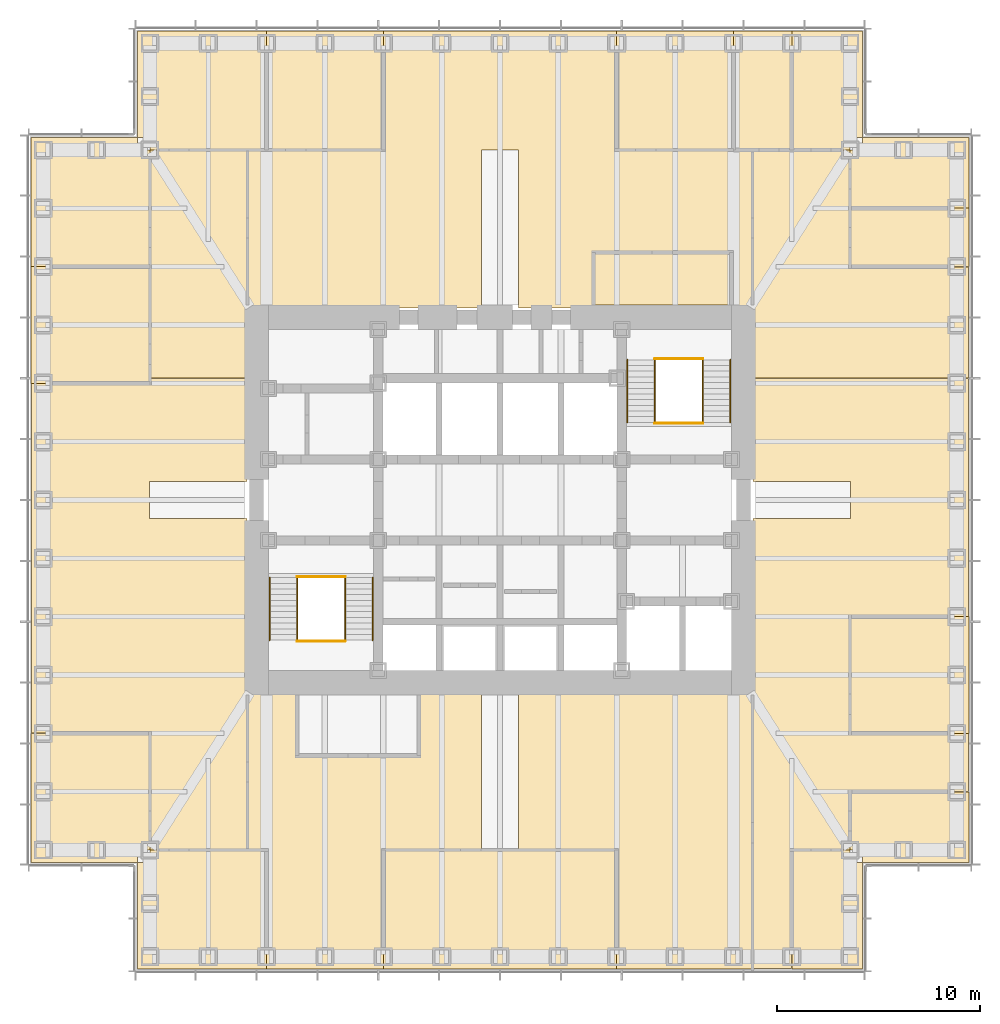
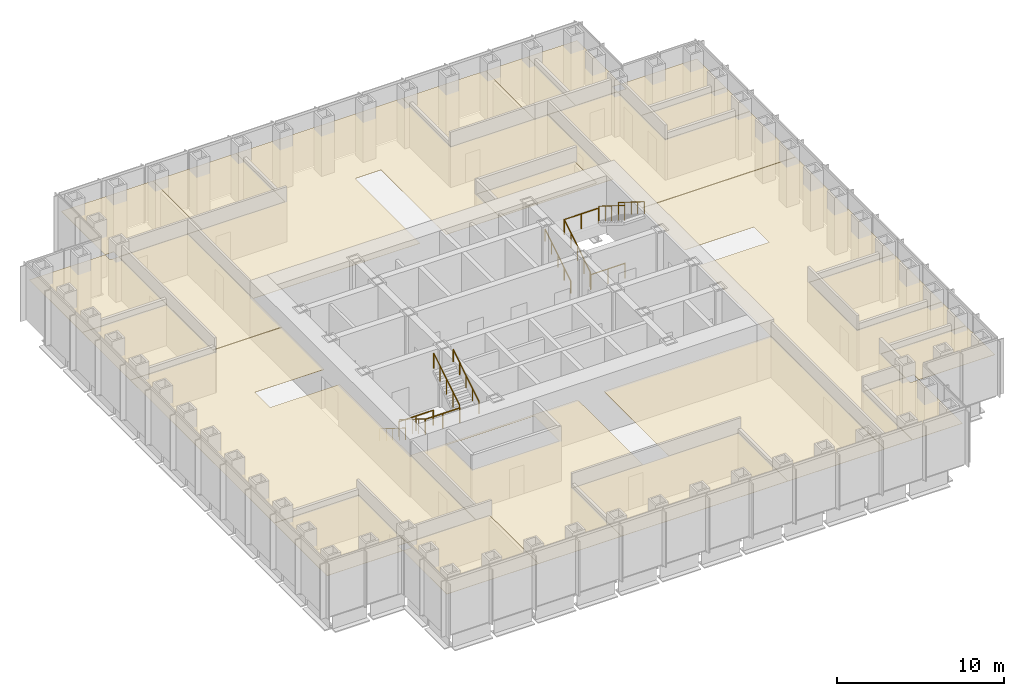
# One storey, part 17 of 17: 23 coverings, 12 railings.
"""IFC4 building model written with IfcOpenShell, lengths in metres."""

from ifc_helpers import new_model, si_unit, direction, frame, origin, origin_2d, place, context, subcontext, project, spatial, polyline, circle, outline, extrude, material, layer, layer_set, type_object, element, save


model = new_model("IFC4")

# Units and contexts
model_context = context("Model", 3, precision=1e-05, world=origin(), true_north=direction((0.0, 1.0)))
body_context = subcontext(model_context, "Body", "Model", "MODEL_VIEW")
ifc_project = project(units=[si_unit("LENGTHUNIT", "METRE"), si_unit("AREAUNIT", "SQUARE_METRE"), si_unit("VOLUMEUNIT", "CUBIC_METRE"), si_unit("PLANEANGLEUNIT", "RADIAN"), si_unit("MASSUNIT", "GRAM", prefix="KILO")], contexts=[model_context])

# Site, building, storey
site_placement = place(None, origin())
site = spatial("IfcSite", under=ifc_project, at=site_placement, CompositionType="ELEMENT")
building_placement = place(site_placement, origin())
building = spatial("IfcBuilding", under=site, at=building_placement, Name="Daluyong Arena Tower", CompositionType="ELEMENT")
storey_placement = place(building_placement, frame((0.0, 0.0, 150.10009765625)))
storey = spatial("IfcBuildingStorey", under=building, at=storey_placement, Name="L33", CompositionType="ELEMENT", Elevation=150.10009765625)

# Coverings
ifc_material_1 = material(Name="Mineral fibre ceiling tile", Category="gypsum board")
ifc_layer = layer(ifc_material_1, 0.02001953125)
ifc_layer_set = layer_set([ifc_layer], Name="Mineral fibre ceiling tile")
covering_type = type_object("IfcCoveringType", Name="Office ceiling", PredefinedType="CEILING", material=ifc_layer_set)
covering_1_placement = place(storey_placement, frame((0.0, 0.0, 2.89990234375)))
element("IfcCovering", 1, at=covering_1_placement, inside=storey, type_object=covering_type, Name="ceiling L33-01", PredefinedType="CEILING", context=body_context, shape_type="SweptSolid", body=[
    extrude(outline(polyline([(38.14990234375, 62.14990234375), (38.14990234375, 56.89990234375), (44.5, 56.89990234375), (44.5, 62.75), (38.75, 62.75), (38.75, 62.14990234375), (38.14990234375, 62.14990234375)])), origin(), (0.0, 0.0, 1.0), 0.02001953125),
])
covering_2_placement = place(storey_placement, frame((0.0, 0.0, 2.89990234375)))
element("IfcCovering", 2, at=covering_2_placement, inside=storey, type_object=covering_type, Name="ceiling L33-02", PredefinedType="CEILING", context=body_context, shape_type="SweptSolid", body=[
    extrude(outline(polyline([(50.25, 62.75), (50.25, 56.89990234375), (61.75, 56.89990234375), (61.75, 62.75), (50.25, 62.75)])), origin(), (0.0, 0.0, 1.0), 0.02001953125),
])
covering_3_placement = place(storey_placement, frame((0.0, 0.0, 2.89990234375)))
element("IfcCovering", 3, at=covering_3_placement, inside=storey, type_object=covering_type, Name="ceiling L33-03", PredefinedType="CEILING", context=body_context, shape_type="SweptSolid", body=[
    extrude(outline(polyline([(73.85009765625, 56.89990234375), (73.85009765625, 62.14990234375), (73.25, 62.14990234375), (73.25, 62.75), (70.375, 62.75), (70.375, 56.89990234375), (73.85009765625, 56.89990234375)])), origin(), (0.0, 0.0, 1.0), 0.02001953125),
])
covering_4_placement = place(storey_placement, frame((0.0, 0.0, 2.89990234375)))
element("IfcCovering", 4, at=covering_4_placement, inside=storey, type_object=covering_type, Name="ceiling L33-04", PredefinedType="CEILING", context=body_context, shape_type="SweptSolid", body=[
    extrude(outline(polyline([(73.85009765625, 62.14990234375), (79.10009765625, 62.14990234375), (79.10009765625, 65.625), (73.25, 65.625), (73.25, 62.75), (73.85009765625, 62.75), (73.85009765625, 62.14990234375)])), origin(), (0.0, 0.0, 1.0), 0.02001953125),
])
covering_5_placement = place(storey_placement, frame((0.0, 0.0, 2.89990234375)))
element("IfcCovering", 5, at=covering_5_placement, inside=storey, type_object=covering_type, Name="ceiling L33-05", PredefinedType="CEILING", context=body_context, shape_type="SweptSolid", body=[
    extrude(outline(polyline([(73.25, 68.5), (79.10009765625, 68.5), (79.10009765625, 74.25), (73.25, 74.25), (73.25, 68.5)])), origin(), (0.0, 0.0, 1.0), 0.02001953125),
])
covering_6_placement = place(storey_placement, frame((0.0, 0.0, 2.89990234375)))
element("IfcCovering", 6, at=covering_6_placement, inside=storey, type_object=covering_type, Name="ceiling L33-06", PredefinedType="CEILING", context=body_context, shape_type="SweptSolid", body=[
    extrude(outline(polyline([(73.25, 91.5), (79.10009765625, 91.5), (79.10009765625, 94.375), (73.25, 94.375), (73.25, 91.5)])), origin(), (0.0, 0.0, 1.0), 0.02001953125),
])
covering_7_placement = place(storey_placement, frame((0.0, 0.0, 2.89990234375)))
element("IfcCovering", 7, at=covering_7_placement, inside=storey, type_object=covering_type, Name="ceiling L33-07", PredefinedType="CEILING", context=body_context, shape_type="SweptSolid", body=[
    extrude(outline(polyline([(73.25, 94.375), (79.10009765625, 94.375), (79.10009765625, 97.85009765625), (73.85009765625, 97.85009765625), (73.85009765625, 97.25), (73.25, 97.25), (73.25, 94.375)])), origin(), (0.0, 0.0, 1.0), 0.02001953125),
])
covering_8_placement = place(storey_placement, frame((0.0, 0.0, 2.89990234375)))
element("IfcCovering", 8, at=covering_8_placement, inside=storey, type_object=covering_type, Name="ceiling L33-08", PredefinedType="CEILING", context=body_context, shape_type="SweptSolid", body=[
    extrude(outline(polyline([(44.5, 97.25), (44.5, 103.10009765625), (38.14990234375, 103.10009765625), (38.14990234375, 97.85009765625), (38.75, 97.85009765625), (38.75, 97.25), (44.5, 97.25)])), origin(), (0.0, 0.0, 1.0), 0.02001953125),
])
covering_9_placement = place(storey_placement, frame((0.0, 0.0, 2.89990234375)))
element("IfcCovering", 9, at=covering_9_placement, inside=storey, type_object=covering_type, Name="ceiling L33-09", PredefinedType="CEILING", context=body_context, shape_type="SweptSolid", body=[
    extrude(outline(polyline([(50.25, 97.25), (50.25, 103.10009765625), (44.5, 103.10009765625), (44.5, 97.25), (50.25, 97.25)])), origin(), (0.0, 0.0, 1.0), 0.02001953125),
])
covering_10_placement = place(storey_placement, frame((0.0, 0.0, 2.89990234375)))
element("IfcCovering", 10, at=covering_10_placement, inside=storey, type_object=covering_type, Name="ceiling L33-10", PredefinedType="CEILING", context=body_context, shape_type="SweptSolid", body=[
    extrude(outline(polyline([(67.5, 97.25), (67.5, 103.10009765625), (61.75, 103.10009765625), (61.75, 97.25), (67.5, 97.25)])), origin(), (0.0, 0.0, 1.0), 0.02001953125),
])
covering_11_placement = place(storey_placement, frame((0.0, 0.0, 2.89990234375)))
element("IfcCovering", 11, at=covering_11_placement, inside=storey, type_object=covering_type, Name="ceiling L33-11", PredefinedType="CEILING", context=body_context, shape_type="SweptSolid", body=[
    extrude(outline(polyline([(70.375, 97.25), (70.375, 103.10009765625), (67.5, 103.10009765625), (67.5, 97.25), (70.375, 97.25)])), origin(), (0.0, 0.0, 1.0), 0.02001953125),
])
covering_12_placement = place(storey_placement, frame((0.0, 0.0, 2.89990234375)))
element("IfcCovering", 12, at=covering_12_placement, inside=storey, type_object=covering_type, Name="ceiling L33-12", PredefinedType="CEILING", context=body_context, shape_type="SweptSolid", body=[
    extrude(outline(polyline([(70.375, 97.25), (73.25, 97.25), (73.25, 97.85009765625), (73.85009765625, 97.85009765625), (73.85009765625, 103.10009765625), (70.375, 103.10009765625), (70.375, 97.25)])), origin(), (0.0, 0.0, 1.0), 0.02001953125),
])
covering_13_placement = place(storey_placement, frame((0.0, 0.0, 2.89990234375)))
element("IfcCovering", 13, at=covering_13_placement, inside=storey, type_object=covering_type, Name="ceiling L33-13", PredefinedType="CEILING", context=body_context, shape_type="SweptSolid", body=[
    extrude(outline(polyline([(32.89990234375, 62.14990234375), (38.14990234375, 62.14990234375), (38.14990234375, 62.75), (38.75, 62.75), (38.75, 68.5), (32.89990234375, 68.5), (32.89990234375, 62.14990234375)])), origin(), (0.0, 0.0, 1.0), 0.02001953125),
])
covering_14_placement = place(storey_placement, frame((0.0, 0.0, 2.89990234375)))
element("IfcCovering", 14, at=covering_14_placement, inside=storey, type_object=covering_type, Name="ceiling L33-14", PredefinedType="CEILING", context=body_context, shape_type="SweptSolid", body=[
    extrude(outline(polyline([(38.75, 91.5), (32.89990234375, 91.5), (32.89990234375, 85.75), (38.75, 85.75), (38.75, 91.5)])), origin(), (0.0, 0.0, 1.0), 0.02001953125),
])
covering_15_placement = place(storey_placement, frame((0.0, 0.0, 2.89990234375)))
element("IfcCovering", 15, at=covering_15_placement, inside=storey, type_object=covering_type, Name="ceiling L33-15", PredefinedType="CEILING", context=body_context, shape_type="SweptSolid", body=[
    extrude(outline(polyline([(38.75, 91.5), (38.75, 97.25), (38.14990234375, 97.25), (38.14990234375, 97.85009765625), (32.89990234375, 97.85009765625), (32.89990234375, 91.5), (38.75, 91.5)])), origin(), (0.0, 0.0, 1.0), 0.02001953125),
])
covering_16_placement = place(storey_placement, frame((0.0, 0.0, 2.89990234375)))
element("IfcCovering", 16, at=covering_16_placement, inside=storey, type_object=covering_type, Name="ceiling L33-17", PredefinedType="CEILING", context=body_context, shape_type="SweptSolid", body=[
    extrude(outline(polyline([(60.60009765625, 89.60009765625), (67.39990234375, 89.60009765625), (67.39990234375, 92.199951171875), (60.60009765625, 92.199951171875), (60.60009765625, 89.60009765625)])), origin(), (0.0, 0.0, 1.0), 0.02001953125),
])
covering_17_placement = place(storey_placement, frame((0.0, 0.0, 2.89990234375)))
element("IfcCovering", 17, at=covering_17_placement, inside=storey, type_object=covering_type, Name="ceiling L33-22", PredefinedType="CEILING", context=body_context, shape_type="SweptSolid", body=[
    extrude(outline(polyline([(61.75, 56.89990234375), (68.449951171875, 56.89990234375), (68.449951171875, 70.550048828125), (56.89990234375, 70.550048828125), (56.89990234375, 62.75), (61.75, 62.75), (61.75, 56.89990234375)])), origin(), (0.0, 0.0, 1.0), 0.02001953125),
])
covering_18_placement = place(storey_placement, frame((0.0, 0.0, 2.89990234375)))
element("IfcCovering", 18, at=covering_18_placement, inside=storey, type_object=covering_type, Name="ceiling L33-23", PredefinedType="CEILING", context=body_context, shape_type="SweptSolid", body=[
    extrude(outline(polyline([(55.10009765625, 70.550048828125), (43.550048828125, 70.550048828125), (43.550048828125, 62.75), (44.5, 62.75), (44.5, 56.89990234375), (50.25, 56.89990234375), (50.25, 62.75), (55.10009765625, 62.75), (55.10009765625, 70.550048828125)]), holes=[polyline([(52.0, 70.39990234375), (52.0, 67.39990234375), (46.0, 67.39990234375), (46.0, 70.39990234375), (52.0, 70.39990234375)])]), origin(), (0.0, 0.0, 1.0), 0.02001953125),
])
covering_19_placement = place(storey_placement, frame((0.0, 0.0, 2.89990234375)))
element("IfcCovering", 19, at=covering_19_placement, inside=storey, type_object=covering_type, Name="ceiling L33-24", PredefinedType="CEILING", context=body_context, shape_type="SweptSolid", body=[
    extrude(outline(polyline([(50.25, 97.25), (43.550048828125, 97.25), (43.550048828125, 89.449951171875), (55.10009765625, 89.449951171875), (55.10009765625, 97.25), (56.89990234375, 97.25), (56.89990234375, 89.449951171875), (68.449951171875, 89.449951171875), (68.449951171875, 97.25), (61.75, 97.25), (61.75, 103.10009765625), (50.25, 103.10009765625), (50.25, 97.25)]), holes=[polyline([(67.39990234375, 92.199951171875), (67.39990234375, 89.60009765625), (60.60009765625, 89.60009765625), (60.60009765625, 92.199951171875), (67.39990234375, 92.199951171875)])]), origin(), (0.0, 0.0, 1.0), 0.02001953125),
])
covering_20_placement = place(storey_placement, frame((0.0, 0.0, 2.89990234375)))
element("IfcCovering", 20, at=covering_20_placement, inside=storey, type_object=covering_type, Name="ceiling L33-25", PredefinedType="CEILING", context=body_context, shape_type="SweptSolid", body=[
    extrude(outline(polyline([(38.760009765625, 62.760009765625), (43.5400390625, 62.760009765625), (43.5400390625, 79.090087890625), (38.739990234375, 79.090087890625), (38.739990234375, 80.909912109375), (43.5400390625, 80.909912109375), (43.5400390625, 85.989990234375), (38.760009765625, 85.989990234375), (38.760009765625, 85.739990234375), (32.909912109375, 85.739990234375), (32.909912109375, 68.510009765625), (38.760009765625, 68.510009765625), (38.760009765625, 62.760009765625)])), origin(), (0.0, 0.0, 1.0), 0.02001953125),
])
covering_21_placement = place(storey_placement, frame((0.0, 0.0, 2.89990234375)))
element("IfcCovering", 21, at=covering_21_placement, inside=storey, type_object=covering_type, Name="ceiling L33-26", PredefinedType="CEILING", context=body_context, shape_type="SweptSolid", body=[
    extrude(outline(polyline([(38.760009765625, 97.239990234375), (38.760009765625, 86.010009765625), (43.5400390625, 86.010009765625), (43.5400390625, 97.239990234375), (38.760009765625, 97.239990234375)])), origin(), (0.0, 0.0, 1.0), 0.02001953125),
])
covering_22_placement = place(storey_placement, frame((0.0, 0.0, 2.89990234375)))
element("IfcCovering", 22, at=covering_22_placement, inside=storey, type_object=covering_type, Name="ceiling L33-27", PredefinedType="CEILING", context=body_context, shape_type="SweptSolid", body=[
    extrude(outline(polyline([(73.239990234375, 62.760009765625), (73.239990234375, 65.635009765625), (79.090087890625, 65.635009765625), (79.090087890625, 68.489990234375), (73.239990234375, 68.489990234375), (73.239990234375, 74.260009765625), (79.090087890625, 74.260009765625), (79.090087890625, 85.989990234375), (68.4599609375, 85.989990234375), (68.4599609375, 80.909912109375), (73.260009765625, 80.909912109375), (73.260009765625, 79.090087890625), (68.4599609375, 79.090087890625), (68.4599609375, 56.909912109375), (70.364990234375, 56.909912109375), (70.364990234375, 62.760009765625), (73.239990234375, 62.760009765625)])), origin(), (0.0, 0.0, 1.0), 0.02001953125),
])
covering_23_placement = place(storey_placement, frame((0.0, 0.0, 2.89990234375)))
element("IfcCovering", 23, at=covering_23_placement, inside=storey, type_object=covering_type, Name="ceiling L33-28", PredefinedType="CEILING", context=body_context, shape_type="SweptSolid", body=[
    extrude(outline(polyline([(73.239990234375, 97.239990234375), (68.4599609375, 97.239990234375), (68.4599609375, 86.010009765625), (79.090087890625, 86.010009765625), (79.090087890625, 91.489990234375), (73.239990234375, 91.489990234375), (73.239990234375, 97.239990234375)])), origin(), (0.0, 0.0, 1.0), 0.02001953125),
])

# Railings
ifc_material_2 = material(Name="Stainless steel handrail", Category="steel")
railing_type_1 = type_object("IfcRailingType", Name="Stair handrail", PredefinedType="HANDRAIL", material=ifc_material_2)
railing_1_placement = place(storey_placement, frame((44.64990234375, 76.175048828125, 0.1748046875)))
element("IfcRailing", 24, at=railing_1_placement, inside=storey, type_object=railing_type_1, Name="exit stair A handrail L33", PredefinedType="HANDRAIL", context=body_context, shape_type="SweptSolid", body=[
    extrude(circle(Radius=0.02392578125, at=origin_2d()), frame((0.0, 0.0, 0.8759765625), z_axis=(0.0, -0.847998304005, 0.529998940003), x_axis=(1.0, 0.0, 0.0)), (0.0, 0.0, 1.0), 3.632080078125),
    extrude(circle(Radius=0.02099609375, at=origin_2d()), origin(), (0.0, 0.0, 1.0), 0.851806640625),
    extrude(circle(Radius=0.02099609375, at=origin_2d()), frame((0.0, -0.77001953125, 0.481201171875)), (0.0, 0.0, 1.0), 0.851806640625),
    extrude(circle(Radius=0.02099609375, at=origin_2d()), frame((0.0, -1.5400390625, 0.96240234375)), (0.0, 0.0, 1.0), 0.851806640625),
    extrude(circle(Radius=0.02099609375, at=origin_2d()), frame((0.0, -2.31005859375, 1.44384765625)), (0.0, 0.0, 1.0), 0.851806640625),
    extrude(circle(Radius=0.02099609375, at=origin_2d()), frame((0.0, -3.080078125, 1.925048828125)), (0.0, 0.0, 1.0), 0.851806640625),
])
for number, where, name in (
    (25, (49.72509765625, 73.094970703125, 2.27490234375), "exit stair A handrail L33"),
    (26, (62.27490234375, 83.824951171875, 0.1748046875), "exit stair B handrail L33"),
):
    element("IfcRailing", number, at=place(storey_placement, frame(where)), inside=storey, type_object=railing_type_1, Name=name, PredefinedType="HANDRAIL", context=body_context, shape_type="SweptSolid", body=[
        extrude(circle(Radius=0.02392578125, at=origin_2d()), frame((0.0, 0.0, 0.8759765625), z_axis=(0.0, 0.847998304005, 0.529998940003), x_axis=(-1.0, 0.0, 0.0)), (0.0, 0.0, 1.0), 3.632080078125),
        extrude(circle(Radius=0.02099609375, at=origin_2d()), origin(), (0.0, 0.0, 1.0), 0.851806640625),
        extrude(circle(Radius=0.02099609375, at=origin_2d()), frame((0.0, 0.77001953125, 0.481201171875)), (0.0, 0.0, 1.0), 0.851806640625),
        extrude(circle(Radius=0.02099609375, at=origin_2d()), frame((0.0, 1.5400390625, 0.96240234375)), (0.0, 0.0, 1.0), 0.851806640625),
        extrude(circle(Radius=0.02099609375, at=origin_2d()), frame((0.0, 2.31005859375, 1.44384765625)), (0.0, 0.0, 1.0), 0.851806640625),
        extrude(circle(Radius=0.02099609375, at=origin_2d()), frame((0.0, 3.080078125, 1.925048828125)), (0.0, 0.0, 1.0), 0.851806640625),
    ])
railing_2_placement = place(storey_placement, frame((67.35009765625, 86.905029296875, 2.27490234375)))
element("IfcRailing", 27, at=railing_2_placement, inside=storey, type_object=railing_type_1, Name="exit stair B handrail L33", PredefinedType="HANDRAIL", context=body_context, shape_type="SweptSolid", body=[
    extrude(circle(Radius=0.02392578125, at=origin_2d()), frame((0.0, 0.0, 0.8759765625), z_axis=(0.0, -0.847998304005, 0.529998940003), x_axis=(1.0, 0.0, 0.0)), (0.0, 0.0, 1.0), 3.632080078125),
    extrude(circle(Radius=0.02099609375, at=origin_2d()), origin(), (0.0, 0.0, 1.0), 0.851806640625),
    extrude(circle(Radius=0.02099609375, at=origin_2d()), frame((0.0, -0.77001953125, 0.481201171875)), (0.0, 0.0, 1.0), 0.851806640625),
    extrude(circle(Radius=0.02099609375, at=origin_2d()), frame((0.0, -1.5400390625, 0.96240234375)), (0.0, 0.0, 1.0), 0.851806640625),
    extrude(circle(Radius=0.02099609375, at=origin_2d()), frame((0.0, -2.31005859375, 1.44384765625)), (0.0, 0.0, 1.0), 0.851806640625),
    extrude(circle(Radius=0.02099609375, at=origin_2d()), frame((0.0, -3.080078125, 1.925048828125)), (0.0, 0.0, 1.0), 0.851806640625),
])
ifc_material_3 = material(Name="Steel balustrade", Category="steel")
railing_type_2 = type_object("IfcRailingType", Name="Stair well guard 1100", PredefinedType="GUARDRAIL", material=ifc_material_3)
railing_3_placement = place(storey_placement, frame((46.0, 76.175048828125, 0.1748046875)))
element("IfcRailing", 28, at=railing_3_placement, inside=storey, type_object=railing_type_2, Name="exit stair A well guard L33", PredefinedType="GUARDRAIL", context=body_context, shape_type="SweptSolid", body=[
    extrude(circle(Radius=0.02392578125, at=origin_2d()), frame((0.0, 0.0, 1.076171875), z_axis=(0.0, -0.847998304005, 0.529998940003), x_axis=(1.0, 0.0, 0.0)), (0.0, 0.0, 1.0), 3.632080078125),
    extrude(circle(Radius=0.02099609375, at=origin_2d()), origin(), (0.0, 0.0, 1.0), 1.052001953125),
    extrude(circle(Radius=0.02099609375, at=origin_2d()), frame((0.0, -0.77001953125, 0.481201171875)), (0.0, 0.0, 1.0), 1.052001953125),
    extrude(circle(Radius=0.02099609375, at=origin_2d()), frame((0.0, -1.5400390625, 0.96240234375)), (0.0, 0.0, 1.0), 1.052001953125),
    extrude(circle(Radius=0.02099609375, at=origin_2d()), frame((0.0, -2.31005859375, 1.44384765625)), (0.0, 0.0, 1.0), 1.052001953125),
    extrude(circle(Radius=0.02099609375, at=origin_2d()), frame((0.0, -3.080078125, 1.925048828125)), (0.0, 0.0, 1.0), 1.052001953125),
])
railing_4_placement = place(storey_placement, frame((48.375, 73.094970703125, 2.27490234375)))
element("IfcRailing", 29, at=railing_4_placement, inside=storey, type_object=railing_type_2, Name="exit stair A well guard L33", PredefinedType="GUARDRAIL", context=body_context, shape_type="SweptSolid", body=[
    extrude(circle(Radius=0.02392578125, at=origin_2d()), frame((0.0, 0.0, 1.076171875), z_axis=(0.0, 0.847998304005, 0.529998940003), x_axis=(-1.0, 0.0, 0.0)), (0.0, 0.0, 1.0), 3.632080078125),
    extrude(circle(Radius=0.02099609375, at=origin_2d()), origin(), (0.0, 0.0, 1.0), 1.052001953125),
    extrude(circle(Radius=0.02099609375, at=origin_2d()), frame((0.0, 0.77001953125, 0.481201171875)), (0.0, 0.0, 1.0), 1.052001953125),
    extrude(circle(Radius=0.02099609375, at=origin_2d()), frame((0.0, 1.5400390625, 0.96240234375)), (0.0, 0.0, 1.0), 1.052001953125),
    extrude(circle(Radius=0.02099609375, at=origin_2d()), frame((0.0, 2.31005859375, 1.44384765625)), (0.0, 0.0, 1.0), 1.052001953125),
    extrude(circle(Radius=0.02099609375, at=origin_2d()), frame((0.0, 3.080078125, 1.925048828125)), (0.0, 0.0, 1.0), 1.052001953125),
])
for number, where, name in (
    (30, (46.0, 73.044921875, 2.099853515625), "exit stair A landing guard L33"),
    (31, (46.0, 76.22509765625, 0.0), "exit stair A floor landing guard L33"),
):
    element("IfcRailing", number, at=place(storey_placement, frame(where)), inside=storey, type_object=railing_type_2, Name=name, PredefinedType="GUARDRAIL", context=body_context, shape_type="SweptSolid", body=[
        extrude(circle(Radius=0.02392578125, at=origin_2d()), frame((0.0, 0.0, 1.076171875), z_axis=(1.0, 0.0, 0.0), x_axis=(0.0, 1.0, 0.0)), (0.0, 0.0, 1.0), 2.375),
        extrude(circle(Radius=0.02099609375, at=origin_2d()), origin(), (0.0, 0.0, 1.0), 1.052001953125),
        extrude(circle(Radius=0.02099609375, at=origin_2d()), frame((1.1875, 0.0, 0.0)), (0.0, 0.0, 1.0), 1.052001953125),
        extrude(circle(Radius=0.02099609375, at=origin_2d()), frame((2.375, 0.0, 0.0)), (0.0, 0.0, 1.0), 1.052001953125),
    ])
railing_5_placement = place(storey_placement, frame((63.625, 83.824951171875, 0.1748046875)))
element("IfcRailing", 32, at=railing_5_placement, inside=storey, type_object=railing_type_2, Name="exit stair B well guard L33", PredefinedType="GUARDRAIL", context=body_context, shape_type="SweptSolid", body=[
    extrude(circle(Radius=0.02392578125, at=origin_2d()), frame((0.0, 0.0, 1.076171875), z_axis=(0.0, 0.847998304005, 0.529998940003), x_axis=(-1.0, 0.0, 0.0)), (0.0, 0.0, 1.0), 3.632080078125),
    extrude(circle(Radius=0.02099609375, at=origin_2d()), origin(), (0.0, 0.0, 1.0), 1.052001953125),
    extrude(circle(Radius=0.02099609375, at=origin_2d()), frame((0.0, 0.77001953125, 0.481201171875)), (0.0, 0.0, 1.0), 1.052001953125),
    extrude(circle(Radius=0.02099609375, at=origin_2d()), frame((0.0, 1.5400390625, 0.96240234375)), (0.0, 0.0, 1.0), 1.052001953125),
    extrude(circle(Radius=0.02099609375, at=origin_2d()), frame((0.0, 2.31005859375, 1.44384765625)), (0.0, 0.0, 1.0), 1.052001953125),
    extrude(circle(Radius=0.02099609375, at=origin_2d()), frame((0.0, 3.080078125, 1.925048828125)), (0.0, 0.0, 1.0), 1.052001953125),
])
railing_6_placement = place(storey_placement, frame((66.0, 86.905029296875, 2.27490234375)))
element("IfcRailing", 33, at=railing_6_placement, inside=storey, type_object=railing_type_2, Name="exit stair B well guard L33", PredefinedType="GUARDRAIL", context=body_context, shape_type="SweptSolid", body=[
    extrude(circle(Radius=0.02392578125, at=origin_2d()), frame((0.0, 0.0, 1.076171875), z_axis=(0.0, -0.847998304005, 0.529998940003), x_axis=(1.0, 0.0, 0.0)), (0.0, 0.0, 1.0), 3.632080078125),
    extrude(circle(Radius=0.02099609375, at=origin_2d()), origin(), (0.0, 0.0, 1.0), 1.052001953125),
    extrude(circle(Radius=0.02099609375, at=origin_2d()), frame((0.0, -0.77001953125, 0.481201171875)), (0.0, 0.0, 1.0), 1.052001953125),
    extrude(circle(Radius=0.02099609375, at=origin_2d()), frame((0.0, -1.5400390625, 0.96240234375)), (0.0, 0.0, 1.0), 1.052001953125),
    extrude(circle(Radius=0.02099609375, at=origin_2d()), frame((0.0, -2.31005859375, 1.44384765625)), (0.0, 0.0, 1.0), 1.052001953125),
    extrude(circle(Radius=0.02099609375, at=origin_2d()), frame((0.0, -3.080078125, 1.925048828125)), (0.0, 0.0, 1.0), 1.052001953125),
])
for number, where, name in (
    (34, (63.625, 86.955078125, 2.099853515625), "exit stair B landing guard L33"),
    (35, (63.625, 83.77490234375, 0.0), "exit stair B floor landing guard L33"),
):
    element("IfcRailing", number, at=place(storey_placement, frame(where)), inside=storey, type_object=railing_type_2, Name=name, PredefinedType="GUARDRAIL", context=body_context, shape_type="SweptSolid", body=[
        extrude(circle(Radius=0.02392578125, at=origin_2d()), frame((0.0, 0.0, 1.076171875), z_axis=(1.0, 0.0, 0.0), x_axis=(0.0, 1.0, 0.0)), (0.0, 0.0, 1.0), 2.375),
        extrude(circle(Radius=0.02099609375, at=origin_2d()), origin(), (0.0, 0.0, 1.0), 1.052001953125),
        extrude(circle(Radius=0.02099609375, at=origin_2d()), frame((1.1875, 0.0, 0.0)), (0.0, 0.0, 1.0), 1.052001953125),
        extrude(circle(Radius=0.02099609375, at=origin_2d()), frame((2.375, 0.0, 0.0)), (0.0, 0.0, 1.0), 1.052001953125),
    ])

save(model, "model.ifc")
